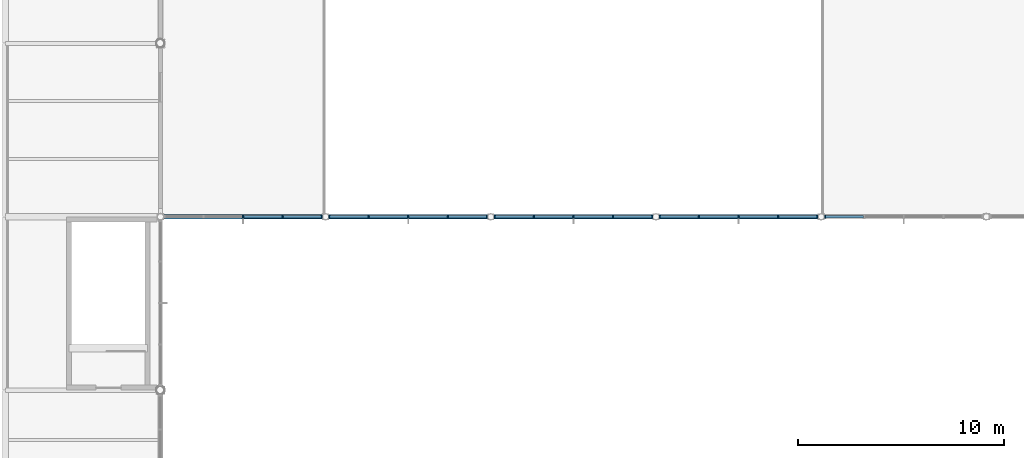
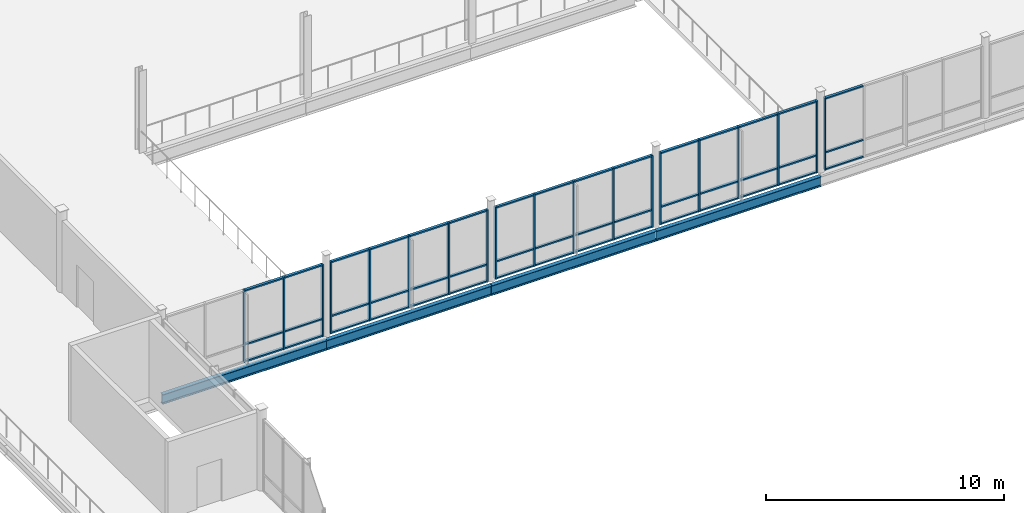
# One storey, part 26 of 75: 64 members, 4 beams, 5 elements without a shape of their own.
"""IFC4 building model written with IfcOpenShell, lengths in metres."""

from ifc_helpers import new_model, si_unit, direction, frame, origin, origin_2d, place, context, subcontext, project, spatial, rectangle, i_section, extrude, material, layer, layer_set, material_profile, profile_set, type_object, element, aggregate, save


model = new_model("IFC4")

# Units and contexts
model_context = context("Model", 3, precision=1e-05, world=origin(), true_north=direction((0.0, 1.0)))
body_context = subcontext(model_context, "Body", "Model", "MODEL_VIEW")
ifc_project = project(units=[si_unit("LENGTHUNIT", "METRE"), si_unit("AREAUNIT", "SQUARE_METRE"), si_unit("VOLUMEUNIT", "CUBIC_METRE"), si_unit("PLANEANGLEUNIT", "RADIAN"), si_unit("MASSUNIT", "GRAM", prefix="KILO")], contexts=[model_context])

# Site, building, storey
site_placement = place(None, origin())
site = spatial("IfcSite", under=ifc_project, at=site_placement, CompositionType="ELEMENT")
building_placement = place(site_placement, origin())
building = spatial("IfcBuilding", under=site, at=building_placement, Name="Yukiwa Park Conservatory and Herbarium", CompositionType="ELEMENT")
storey_placement = place(building_placement, frame((0.0, 0.0, 4.800048828125)))
storey = spatial("IfcBuildingStorey", under=building, at=storey_placement, Name="L01", CompositionType="ELEMENT", Elevation=4.800048828125)

# Beams
ifc_material_1 = material(Name="Steel Q355D", Category="steel")
ifc_material_profile = material_profile(ifc_material_1, i_section(OverallWidth=0.199951171875, OverallDepth=0.5, WebThickness=0.010009765625, FlangeThickness=0.01611328125, FilletRadius=0.02001953125, at=origin_2d()), Name="HN 500x200x10x16")
ifc_profile_set = profile_set([ifc_material_profile], Name="Steel Q355D")
beam_type = type_object("IfcBeamType", Name="BM-GRD-HN500", PredefinedType="BEAM", material=ifc_profile_set)
for number, where, z_axis, x_axis, name in (
    (1, (60.006103515625, 15.60009765625, -0.489990234375), (1.0, 0.0, 0.0), (0.0, 1.0, 0.0), "L01 grid beam X-11"),
    (2, (68.006103515625, 15.60009765625, -0.489990234375), (1.0, 0.0, 0.0), (0.0, 1.0, 0.0), "L01 grid beam X-12"),
    (3, (76.006103515625, 15.60009765625, -0.489990234375), (1.0, 0.0, 0.0), (0.0, 1.0, 0.0), "L01 grid beam X-13"),
    (4, (84.006103515625, 15.60009765625, -0.489990234375), (1.0, 0.0, 0.0), (0.0, 1.0, 0.0), "L01 grid beam X-14"),
):
    element("IfcBeam", number, at=place(storey_placement, frame(where, z_axis=z_axis, x_axis=x_axis)), inside=storey, type_object=beam_type, Name=name, PredefinedType="BEAM", context=body_context, shape_type="SweptSolid", body=[
        extrude(i_section(OverallWidth=0.199951171875, OverallDepth=0.5, WebThickness=0.010009765625, FlangeThickness=0.01611328125, FilletRadius=0.02001953125, at=origin_2d()), origin(), (0.0, 0.0, 1.0), 7.98779296875),
    ])

# Curtain wall, members
ifc_material_2 = material(Name="Triple Low-E Insulated Glass", Category="glass")
ifc_layer = layer(ifc_material_2, 0.18798828125)
ifc_layer_set = layer_set([ifc_layer], Name="Triple Low-E Insulated Glass")
curtain_wall_type = type_object("IfcCurtainWallType", Name="CW-CONCOURSE-2000", PredefinedType="NOTDEFINED", material=ifc_layer_set)
curtain_wall_1_placement = place(storey_placement, origin())
curtain_wall_1 = element("IfcCurtainWall", 5, at=curtain_wall_1_placement, inside=storey, type_object=curtain_wall_type, Name="L01 unitised curtain wall CW-L01-036", PredefinedType="NOTDEFINED")
ifc_material_3 = material(Name="Anodised Aluminium", Category="aluminium")
member_type_1 = type_object("IfcMemberType", Name="MB-CW-MUL-70X150", PredefinedType="MULLION", material=ifc_material_3)
member_1_placement = place(storey_placement, frame((64.0, 15.60009765625, 0.0), z_axis=(0.0, 0.0, 1.0), x_axis=(1.0, 0.0, 0.0)))
member_1 = element("IfcMember", 6, at=member_1_placement, type_object=member_type_1, Name="CW-L01-036 mullion 3", PredefinedType="MULLION", context=body_context, shape_type="SweptSolid", body=[
    extrude(rectangle(XDim=0.070068359375, YDim=0.14990234375, at=origin_2d()), origin(), (0.0, 0.0, 1.0), 3.699951171875),
])
member_2_placement = place(storey_placement, frame((65.918701171875, 15.60009765625, 0.0), z_axis=(0.0, 0.0, 1.0), x_axis=(1.0, 0.0, 0.0)))
member_2 = element("IfcMember", 7, at=member_2_placement, type_object=member_type_1, Name="CW-L01-036 mullion 4", PredefinedType="MULLION", context=body_context, shape_type="SweptSolid", body=[
    extrude(rectangle(XDim=0.070068359375, YDim=0.14990234375, at=origin_2d()), origin(), (0.0, 0.0, 1.0), 3.699951171875),
])
member_3_placement = place(storey_placement, frame((67.802490234375, 15.60009765625, 0.0), z_axis=(0.0, 0.0, 1.0), x_axis=(1.0, 0.0, 0.0)))
member_3 = element("IfcMember", 8, at=member_3_placement, type_object=member_type_1, Name="CW-L01-036 mullion 5", PredefinedType="MULLION", context=body_context, shape_type="SweptSolid", body=[
    extrude(rectangle(XDim=0.070068359375, YDim=0.14990234375, at=origin_2d()), origin(), (0.0, 0.0, 1.0), 3.699951171875),
])

curtain_wall_2_placement = place(storey_placement, origin())
curtain_wall_2 = element("IfcCurtainWall", 9, at=curtain_wall_2_placement, inside=storey, type_object=curtain_wall_type, Name="L01 unitised curtain wall CW-L01-037", PredefinedType="NOTDEFINED")
member_4_placement = place(storey_placement, frame((68.197509765625, 15.60009765625, 0.0), z_axis=(0.0, 0.0, 1.0), x_axis=(1.0, 0.0, 0.0)))
member_4 = element("IfcMember", 10, at=member_4_placement, type_object=member_type_1, Name="CW-L01-037 mullion 1", PredefinedType="MULLION", context=body_context, shape_type="SweptSolid", body=[
    extrude(rectangle(XDim=0.070068359375, YDim=0.14990234375, at=origin_2d()), origin(), (0.0, 0.0, 1.0), 3.699951171875),
])
member_5_placement = place(storey_placement, frame((70.081298828125, 15.60009765625, 0.0), z_axis=(0.0, 0.0, 1.0), x_axis=(1.0, 0.0, 0.0)))
member_5 = element("IfcMember", 11, at=member_5_placement, type_object=member_type_1, Name="CW-L01-037 mullion 2", PredefinedType="MULLION", context=body_context, shape_type="SweptSolid", body=[
    extrude(rectangle(XDim=0.070068359375, YDim=0.14990234375, at=origin_2d()), origin(), (0.0, 0.0, 1.0), 3.699951171875),
])
member_6_placement = place(storey_placement, frame((72.0, 15.60009765625, 0.0), z_axis=(0.0, 0.0, 1.0), x_axis=(1.0, 0.0, 0.0)))
member_6 = element("IfcMember", 12, at=member_6_placement, type_object=member_type_1, Name="CW-L01-037 mullion 3", PredefinedType="MULLION", context=body_context, shape_type="SweptSolid", body=[
    extrude(rectangle(XDim=0.070068359375, YDim=0.14990234375, at=origin_2d()), origin(), (0.0, 0.0, 1.0), 3.699951171875),
])
member_7_placement = place(storey_placement, frame((73.918701171875, 15.60009765625, 0.0), z_axis=(0.0, 0.0, 1.0), x_axis=(1.0, 0.0, 0.0)))
member_7 = element("IfcMember", 13, at=member_7_placement, type_object=member_type_1, Name="CW-L01-037 mullion 4", PredefinedType="MULLION", context=body_context, shape_type="SweptSolid", body=[
    extrude(rectangle(XDim=0.070068359375, YDim=0.14990234375, at=origin_2d()), origin(), (0.0, 0.0, 1.0), 3.699951171875),
])
member_8_placement = place(storey_placement, frame((75.802490234375, 15.60009765625, 0.0), z_axis=(0.0, 0.0, 1.0), x_axis=(1.0, 0.0, 0.0)))
member_8 = element("IfcMember", 14, at=member_8_placement, type_object=member_type_1, Name="CW-L01-037 mullion 5", PredefinedType="MULLION", context=body_context, shape_type="SweptSolid", body=[
    extrude(rectangle(XDim=0.070068359375, YDim=0.14990234375, at=origin_2d()), origin(), (0.0, 0.0, 1.0), 3.699951171875),
])

curtain_wall_3_placement = place(storey_placement, origin())
curtain_wall_3 = element("IfcCurtainWall", 15, at=curtain_wall_3_placement, inside=storey, type_object=curtain_wall_type, Name="L01 unitised curtain wall CW-L01-038", PredefinedType="NOTDEFINED")
member_9_placement = place(storey_placement, frame((76.197509765625, 15.60009765625, 0.0), z_axis=(0.0, 0.0, 1.0), x_axis=(1.0, 0.0, 0.0)))
member_9 = element("IfcMember", 16, at=member_9_placement, type_object=member_type_1, Name="CW-L01-038 mullion 1", PredefinedType="MULLION", context=body_context, shape_type="SweptSolid", body=[
    extrude(rectangle(XDim=0.070068359375, YDim=0.14990234375, at=origin_2d()), origin(), (0.0, 0.0, 1.0), 3.699951171875),
])
member_10_placement = place(storey_placement, frame((78.081298828125, 15.60009765625, 0.0), z_axis=(0.0, 0.0, 1.0), x_axis=(1.0, 0.0, 0.0)))
member_10 = element("IfcMember", 17, at=member_10_placement, type_object=member_type_1, Name="CW-L01-038 mullion 2", PredefinedType="MULLION", context=body_context, shape_type="SweptSolid", body=[
    extrude(rectangle(XDim=0.070068359375, YDim=0.14990234375, at=origin_2d()), origin(), (0.0, 0.0, 1.0), 3.699951171875),
])
member_11_placement = place(storey_placement, frame((80.0, 15.60009765625, 0.0), z_axis=(0.0, 0.0, 1.0), x_axis=(1.0, 0.0, 0.0)))
member_11 = element("IfcMember", 18, at=member_11_placement, type_object=member_type_1, Name="CW-L01-038 mullion 3", PredefinedType="MULLION", context=body_context, shape_type="SweptSolid", body=[
    extrude(rectangle(XDim=0.070068359375, YDim=0.14990234375, at=origin_2d()), origin(), (0.0, 0.0, 1.0), 3.699951171875),
])
member_12_placement = place(storey_placement, frame((81.918701171875, 15.60009765625, 0.0), z_axis=(0.0, 0.0, 1.0), x_axis=(1.0, 0.0, 0.0)))
member_12 = element("IfcMember", 19, at=member_12_placement, type_object=member_type_1, Name="CW-L01-038 mullion 4", PredefinedType="MULLION", context=body_context, shape_type="SweptSolid", body=[
    extrude(rectangle(XDim=0.070068359375, YDim=0.14990234375, at=origin_2d()), origin(), (0.0, 0.0, 1.0), 3.699951171875),
])
member_13_placement = place(storey_placement, frame((83.802490234375, 15.60009765625, 0.0), z_axis=(0.0, 0.0, 1.0), x_axis=(1.0, 0.0, 0.0)))
member_13 = element("IfcMember", 20, at=member_13_placement, type_object=member_type_1, Name="CW-L01-038 mullion 5", PredefinedType="MULLION", context=body_context, shape_type="SweptSolid", body=[
    extrude(rectangle(XDim=0.070068359375, YDim=0.14990234375, at=origin_2d()), origin(), (0.0, 0.0, 1.0), 3.699951171875),
])

curtain_wall_4_placement = place(storey_placement, origin())
curtain_wall_4 = element("IfcCurtainWall", 21, at=curtain_wall_4_placement, inside=storey, type_object=curtain_wall_type, Name="L01 unitised curtain wall CW-L01-039", PredefinedType="NOTDEFINED")
member_14_placement = place(storey_placement, frame((84.197509765625, 15.60009765625, 0.0), z_axis=(0.0, 0.0, 1.0), x_axis=(1.0, 0.0, 0.0)))
member_14 = element("IfcMember", 22, at=member_14_placement, type_object=member_type_1, Name="CW-L01-039 mullion 1", PredefinedType="MULLION", context=body_context, shape_type="SweptSolid", body=[
    extrude(rectangle(XDim=0.070068359375, YDim=0.14990234375, at=origin_2d()), origin(), (0.0, 0.0, 1.0), 3.699951171875),
])
member_15_placement = place(storey_placement, frame((86.081298828125, 15.60009765625, 0.0), z_axis=(0.0, 0.0, 1.0), x_axis=(1.0, 0.0, 0.0)))
member_15 = element("IfcMember", 23, at=member_15_placement, type_object=member_type_1, Name="CW-L01-039 mullion 2", PredefinedType="MULLION", context=body_context, shape_type="SweptSolid", body=[
    extrude(rectangle(XDim=0.070068359375, YDim=0.14990234375, at=origin_2d()), origin(), (0.0, 0.0, 1.0), 3.699951171875),
])
member_16_placement = place(storey_placement, frame((88.0, 15.60009765625, 0.0), z_axis=(0.0, 0.0, 1.0), x_axis=(1.0, 0.0, 0.0)))
member_16 = element("IfcMember", 24, at=member_16_placement, type_object=member_type_1, Name="CW-L01-039 mullion 3", PredefinedType="MULLION", context=body_context, shape_type="SweptSolid", body=[
    extrude(rectangle(XDim=0.070068359375, YDim=0.14990234375, at=origin_2d()), origin(), (0.0, 0.0, 1.0), 3.699951171875),
])
member_17_placement = place(storey_placement, frame((89.918701171875, 15.60009765625, 0.0), z_axis=(0.0, 0.0, 1.0), x_axis=(1.0, 0.0, 0.0)))
member_17 = element("IfcMember", 25, at=member_17_placement, type_object=member_type_1, Name="CW-L01-039 mullion 4", PredefinedType="MULLION", context=body_context, shape_type="SweptSolid", body=[
    extrude(rectangle(XDim=0.070068359375, YDim=0.14990234375, at=origin_2d()), origin(), (0.0, 0.0, 1.0), 3.699951171875),
])
member_18_placement = place(storey_placement, frame((91.802490234375, 15.60009765625, 0.0), z_axis=(0.0, 0.0, 1.0), x_axis=(1.0, 0.0, 0.0)))
member_18 = element("IfcMember", 26, at=member_18_placement, type_object=member_type_1, Name="CW-L01-039 mullion 5", PredefinedType="MULLION", context=body_context, shape_type="SweptSolid", body=[
    extrude(rectangle(XDim=0.070068359375, YDim=0.14990234375, at=origin_2d()), origin(), (0.0, 0.0, 1.0), 3.699951171875),
])

# Curtain wall, member
curtain_wall_5_placement = place(storey_placement, origin())
curtain_wall_5 = element("IfcCurtainWall", 27, at=curtain_wall_5_placement, inside=storey, type_object=curtain_wall_type, Name="L01 unitised curtain wall CW-L01-040", PredefinedType="NOTDEFINED")
member_19_placement = place(storey_placement, frame((92.197509765625, 15.60009765625, 0.0), z_axis=(0.0, 0.0, 1.0), x_axis=(1.0, 0.0, 0.0)))
member_19 = element("IfcMember", 28, at=member_19_placement, type_object=member_type_1, Name="CW-L01-040 mullion 1", PredefinedType="MULLION", context=body_context, shape_type="SweptSolid", body=[
    extrude(rectangle(XDim=0.070068359375, YDim=0.14990234375, at=origin_2d()), origin(), (0.0, 0.0, 1.0), 3.699951171875),
])

# Member
ifc_material_4 = material(Name="Anodised Aluminium", Category="aluminium")
member_type_2 = type_object("IfcMemberType", Name="MB-CW-TRN-70X130", PredefinedType="USERDEFINED", material=ifc_material_4)
member_20_placement = place(storey_placement, frame((64.95947265625, 15.60009765625, 0.0), z_axis=(0.0, 0.0, 1.0), x_axis=(1.0, 0.0, 0.0)))
member_20 = element("IfcMember", 29, at=member_20_placement, type_object=member_type_2, Name="CW-L01-036 transom 3.1", ObjectType="TRANSOM", PredefinedType="USERDEFINED", context=body_context, shape_type="SweptSolid", body=[
    extrude(rectangle(XDim=1.848876953125, YDim=0.1298828125, at=origin_2d()), origin(), (0.0, 0.0, 1.0), 0.070068359375),
])

member_21_placement = place(storey_placement, frame((64.95947265625, 15.60009765625, 0.86474609375), z_axis=(0.0, 0.0, 1.0), x_axis=(1.0, 0.0, 0.0)))
member_21 = element("IfcMember", 30, at=member_21_placement, type_object=member_type_2, Name="CW-L01-036 transom 3.2", ObjectType="TRANSOM", PredefinedType="USERDEFINED", context=body_context, shape_type="SweptSolid", body=[
    extrude(rectangle(XDim=1.848876953125, YDim=0.1298828125, at=origin_2d()), origin(), (0.0, 0.0, 1.0), 0.070068359375),
])

member_22_placement = place(storey_placement, frame((64.95947265625, 15.60009765625, 3.6298828125), z_axis=(0.0, 0.0, 1.0), x_axis=(1.0, 0.0, 0.0)))
member_22 = element("IfcMember", 31, at=member_22_placement, type_object=member_type_2, Name="CW-L01-036 transom 3.3", ObjectType="TRANSOM", PredefinedType="USERDEFINED", context=body_context, shape_type="SweptSolid", body=[
    extrude(rectangle(XDim=1.848876953125, YDim=0.1298828125, at=origin_2d()), origin(), (0.0, 0.0, 1.0), 0.070068359375),
])

member_23_placement = place(storey_placement, frame((66.878173828125, 15.60009765625, 0.0), z_axis=(0.0, 0.0, 1.0), x_axis=(1.0, 0.0, 0.0)))
member_23 = element("IfcMember", 32, at=member_23_placement, type_object=member_type_2, Name="CW-L01-036 transom 4.1", ObjectType="TRANSOM", PredefinedType="USERDEFINED", context=body_context, shape_type="SweptSolid", body=[
    extrude(rectangle(XDim=1.848876953125, YDim=0.1298828125, at=origin_2d()), origin(), (0.0, 0.0, 1.0), 0.070068359375),
])

member_24_placement = place(storey_placement, frame((66.878173828125, 15.60009765625, 0.86474609375), z_axis=(0.0, 0.0, 1.0), x_axis=(1.0, 0.0, 0.0)))
member_24 = element("IfcMember", 33, at=member_24_placement, type_object=member_type_2, Name="CW-L01-036 transom 4.2", ObjectType="TRANSOM", PredefinedType="USERDEFINED", context=body_context, shape_type="SweptSolid", body=[
    extrude(rectangle(XDim=1.848876953125, YDim=0.1298828125, at=origin_2d()), origin(), (0.0, 0.0, 1.0), 0.070068359375),
])

member_25_placement = place(storey_placement, frame((66.878173828125, 15.60009765625, 3.6298828125), z_axis=(0.0, 0.0, 1.0), x_axis=(1.0, 0.0, 0.0)))
member_25 = element("IfcMember", 34, at=member_25_placement, type_object=member_type_2, Name="CW-L01-036 transom 4.3", ObjectType="TRANSOM", PredefinedType="USERDEFINED", context=body_context, shape_type="SweptSolid", body=[
    extrude(rectangle(XDim=1.848876953125, YDim=0.1298828125, at=origin_2d()), origin(), (0.0, 0.0, 1.0), 0.070068359375),
])

aggregate(curtain_wall_1, [member_1, member_2, member_3, member_20, member_21, member_22, member_23, member_24, member_25])

member_26_placement = place(storey_placement, frame((69.121826171875, 15.60009765625, 0.0), z_axis=(0.0, 0.0, 1.0), x_axis=(1.0, 0.0, 0.0)))
member_26 = element("IfcMember", 35, at=member_26_placement, type_object=member_type_2, Name="CW-L01-037 transom 1.1", ObjectType="TRANSOM", PredefinedType="USERDEFINED", context=body_context, shape_type="SweptSolid", body=[
    extrude(rectangle(XDim=1.848876953125, YDim=0.1298828125, at=origin_2d()), origin(), (0.0, 0.0, 1.0), 0.070068359375),
])

member_27_placement = place(storey_placement, frame((69.121826171875, 15.60009765625, 0.86474609375), z_axis=(0.0, 0.0, 1.0), x_axis=(1.0, 0.0, 0.0)))
member_27 = element("IfcMember", 36, at=member_27_placement, type_object=member_type_2, Name="CW-L01-037 transom 1.2", ObjectType="TRANSOM", PredefinedType="USERDEFINED", context=body_context, shape_type="SweptSolid", body=[
    extrude(rectangle(XDim=1.848876953125, YDim=0.1298828125, at=origin_2d()), origin(), (0.0, 0.0, 1.0), 0.070068359375),
])

member_28_placement = place(storey_placement, frame((69.121826171875, 15.60009765625, 3.6298828125), z_axis=(0.0, 0.0, 1.0), x_axis=(1.0, 0.0, 0.0)))
member_28 = element("IfcMember", 37, at=member_28_placement, type_object=member_type_2, Name="CW-L01-037 transom 1.3", ObjectType="TRANSOM", PredefinedType="USERDEFINED", context=body_context, shape_type="SweptSolid", body=[
    extrude(rectangle(XDim=1.848876953125, YDim=0.1298828125, at=origin_2d()), origin(), (0.0, 0.0, 1.0), 0.070068359375),
])

member_29_placement = place(storey_placement, frame((71.04052734375, 15.60009765625, 0.0), z_axis=(0.0, 0.0, 1.0), x_axis=(1.0, 0.0, 0.0)))
member_29 = element("IfcMember", 38, at=member_29_placement, type_object=member_type_2, Name="CW-L01-037 transom 2.1", ObjectType="TRANSOM", PredefinedType="USERDEFINED", context=body_context, shape_type="SweptSolid", body=[
    extrude(rectangle(XDim=1.848876953125, YDim=0.1298828125, at=origin_2d()), origin(), (0.0, 0.0, 1.0), 0.070068359375),
])

member_30_placement = place(storey_placement, frame((71.04052734375, 15.60009765625, 0.86474609375), z_axis=(0.0, 0.0, 1.0), x_axis=(1.0, 0.0, 0.0)))
member_30 = element("IfcMember", 39, at=member_30_placement, type_object=member_type_2, Name="CW-L01-037 transom 2.2", ObjectType="TRANSOM", PredefinedType="USERDEFINED", context=body_context, shape_type="SweptSolid", body=[
    extrude(rectangle(XDim=1.848876953125, YDim=0.1298828125, at=origin_2d()), origin(), (0.0, 0.0, 1.0), 0.070068359375),
])

member_31_placement = place(storey_placement, frame((71.04052734375, 15.60009765625, 3.6298828125), z_axis=(0.0, 0.0, 1.0), x_axis=(1.0, 0.0, 0.0)))
member_31 = element("IfcMember", 40, at=member_31_placement, type_object=member_type_2, Name="CW-L01-037 transom 2.3", ObjectType="TRANSOM", PredefinedType="USERDEFINED", context=body_context, shape_type="SweptSolid", body=[
    extrude(rectangle(XDim=1.848876953125, YDim=0.1298828125, at=origin_2d()), origin(), (0.0, 0.0, 1.0), 0.070068359375),
])

member_32_placement = place(storey_placement, frame((72.95947265625, 15.60009765625, 0.0), z_axis=(0.0, 0.0, 1.0), x_axis=(1.0, 0.0, 0.0)))
member_32 = element("IfcMember", 41, at=member_32_placement, type_object=member_type_2, Name="CW-L01-037 transom 3.1", ObjectType="TRANSOM", PredefinedType="USERDEFINED", context=body_context, shape_type="SweptSolid", body=[
    extrude(rectangle(XDim=1.848876953125, YDim=0.1298828125, at=origin_2d()), origin(), (0.0, 0.0, 1.0), 0.070068359375),
])

member_33_placement = place(storey_placement, frame((72.95947265625, 15.60009765625, 0.86474609375), z_axis=(0.0, 0.0, 1.0), x_axis=(1.0, 0.0, 0.0)))
member_33 = element("IfcMember", 42, at=member_33_placement, type_object=member_type_2, Name="CW-L01-037 transom 3.2", ObjectType="TRANSOM", PredefinedType="USERDEFINED", context=body_context, shape_type="SweptSolid", body=[
    extrude(rectangle(XDim=1.848876953125, YDim=0.1298828125, at=origin_2d()), origin(), (0.0, 0.0, 1.0), 0.070068359375),
])

member_34_placement = place(storey_placement, frame((72.95947265625, 15.60009765625, 3.6298828125), z_axis=(0.0, 0.0, 1.0), x_axis=(1.0, 0.0, 0.0)))
member_34 = element("IfcMember", 43, at=member_34_placement, type_object=member_type_2, Name="CW-L01-037 transom 3.3", ObjectType="TRANSOM", PredefinedType="USERDEFINED", context=body_context, shape_type="SweptSolid", body=[
    extrude(rectangle(XDim=1.848876953125, YDim=0.1298828125, at=origin_2d()), origin(), (0.0, 0.0, 1.0), 0.070068359375),
])

member_35_placement = place(storey_placement, frame((74.878173828125, 15.60009765625, 0.0), z_axis=(0.0, 0.0, 1.0), x_axis=(1.0, 0.0, 0.0)))
member_35 = element("IfcMember", 44, at=member_35_placement, type_object=member_type_2, Name="CW-L01-037 transom 4.1", ObjectType="TRANSOM", PredefinedType="USERDEFINED", context=body_context, shape_type="SweptSolid", body=[
    extrude(rectangle(XDim=1.848876953125, YDim=0.1298828125, at=origin_2d()), origin(), (0.0, 0.0, 1.0), 0.070068359375),
])

member_36_placement = place(storey_placement, frame((74.878173828125, 15.60009765625, 0.86474609375), z_axis=(0.0, 0.0, 1.0), x_axis=(1.0, 0.0, 0.0)))
member_36 = element("IfcMember", 45, at=member_36_placement, type_object=member_type_2, Name="CW-L01-037 transom 4.2", ObjectType="TRANSOM", PredefinedType="USERDEFINED", context=body_context, shape_type="SweptSolid", body=[
    extrude(rectangle(XDim=1.848876953125, YDim=0.1298828125, at=origin_2d()), origin(), (0.0, 0.0, 1.0), 0.070068359375),
])

member_37_placement = place(storey_placement, frame((74.878173828125, 15.60009765625, 3.6298828125), z_axis=(0.0, 0.0, 1.0), x_axis=(1.0, 0.0, 0.0)))
member_37 = element("IfcMember", 46, at=member_37_placement, type_object=member_type_2, Name="CW-L01-037 transom 4.3", ObjectType="TRANSOM", PredefinedType="USERDEFINED", context=body_context, shape_type="SweptSolid", body=[
    extrude(rectangle(XDim=1.848876953125, YDim=0.1298828125, at=origin_2d()), origin(), (0.0, 0.0, 1.0), 0.070068359375),
])

aggregate(curtain_wall_2, [member_4, member_5, member_6, member_7, member_8, member_26, member_27, member_28, member_29, member_30, member_31, member_32, member_33, member_34, member_35, member_36, member_37])

member_38_placement = place(storey_placement, frame((77.121826171875, 15.60009765625, 0.0), z_axis=(0.0, 0.0, 1.0), x_axis=(1.0, 0.0, 0.0)))
member_38 = element("IfcMember", 47, at=member_38_placement, type_object=member_type_2, Name="CW-L01-038 transom 1.1", ObjectType="TRANSOM", PredefinedType="USERDEFINED", context=body_context, shape_type="SweptSolid", body=[
    extrude(rectangle(XDim=1.848876953125, YDim=0.1298828125, at=origin_2d()), origin(), (0.0, 0.0, 1.0), 0.070068359375),
])

member_39_placement = place(storey_placement, frame((77.121826171875, 15.60009765625, 0.86474609375), z_axis=(0.0, 0.0, 1.0), x_axis=(1.0, 0.0, 0.0)))
member_39 = element("IfcMember", 48, at=member_39_placement, type_object=member_type_2, Name="CW-L01-038 transom 1.2", ObjectType="TRANSOM", PredefinedType="USERDEFINED", context=body_context, shape_type="SweptSolid", body=[
    extrude(rectangle(XDim=1.848876953125, YDim=0.1298828125, at=origin_2d()), origin(), (0.0, 0.0, 1.0), 0.070068359375),
])

member_40_placement = place(storey_placement, frame((77.121826171875, 15.60009765625, 3.6298828125), z_axis=(0.0, 0.0, 1.0), x_axis=(1.0, 0.0, 0.0)))
member_40 = element("IfcMember", 49, at=member_40_placement, type_object=member_type_2, Name="CW-L01-038 transom 1.3", ObjectType="TRANSOM", PredefinedType="USERDEFINED", context=body_context, shape_type="SweptSolid", body=[
    extrude(rectangle(XDim=1.848876953125, YDim=0.1298828125, at=origin_2d()), origin(), (0.0, 0.0, 1.0), 0.070068359375),
])

member_41_placement = place(storey_placement, frame((79.04052734375, 15.60009765625, 0.0), z_axis=(0.0, 0.0, 1.0), x_axis=(1.0, 0.0, 0.0)))
member_41 = element("IfcMember", 50, at=member_41_placement, type_object=member_type_2, Name="CW-L01-038 transom 2.1", ObjectType="TRANSOM", PredefinedType="USERDEFINED", context=body_context, shape_type="SweptSolid", body=[
    extrude(rectangle(XDim=1.848876953125, YDim=0.1298828125, at=origin_2d()), origin(), (0.0, 0.0, 1.0), 0.070068359375),
])

member_42_placement = place(storey_placement, frame((79.04052734375, 15.60009765625, 0.86474609375), z_axis=(0.0, 0.0, 1.0), x_axis=(1.0, 0.0, 0.0)))
member_42 = element("IfcMember", 51, at=member_42_placement, type_object=member_type_2, Name="CW-L01-038 transom 2.2", ObjectType="TRANSOM", PredefinedType="USERDEFINED", context=body_context, shape_type="SweptSolid", body=[
    extrude(rectangle(XDim=1.848876953125, YDim=0.1298828125, at=origin_2d()), origin(), (0.0, 0.0, 1.0), 0.070068359375),
])

member_43_placement = place(storey_placement, frame((79.04052734375, 15.60009765625, 3.6298828125), z_axis=(0.0, 0.0, 1.0), x_axis=(1.0, 0.0, 0.0)))
member_43 = element("IfcMember", 52, at=member_43_placement, type_object=member_type_2, Name="CW-L01-038 transom 2.3", ObjectType="TRANSOM", PredefinedType="USERDEFINED", context=body_context, shape_type="SweptSolid", body=[
    extrude(rectangle(XDim=1.848876953125, YDim=0.1298828125, at=origin_2d()), origin(), (0.0, 0.0, 1.0), 0.070068359375),
])

member_44_placement = place(storey_placement, frame((80.95947265625, 15.60009765625, 0.0), z_axis=(0.0, 0.0, 1.0), x_axis=(1.0, 0.0, 0.0)))
member_44 = element("IfcMember", 53, at=member_44_placement, type_object=member_type_2, Name="CW-L01-038 transom 3.1", ObjectType="TRANSOM", PredefinedType="USERDEFINED", context=body_context, shape_type="SweptSolid", body=[
    extrude(rectangle(XDim=1.848876953125, YDim=0.1298828125, at=origin_2d()), origin(), (0.0, 0.0, 1.0), 0.070068359375),
])

member_45_placement = place(storey_placement, frame((80.95947265625, 15.60009765625, 0.86474609375), z_axis=(0.0, 0.0, 1.0), x_axis=(1.0, 0.0, 0.0)))
member_45 = element("IfcMember", 54, at=member_45_placement, type_object=member_type_2, Name="CW-L01-038 transom 3.2", ObjectType="TRANSOM", PredefinedType="USERDEFINED", context=body_context, shape_type="SweptSolid", body=[
    extrude(rectangle(XDim=1.848876953125, YDim=0.1298828125, at=origin_2d()), origin(), (0.0, 0.0, 1.0), 0.070068359375),
])

member_46_placement = place(storey_placement, frame((80.95947265625, 15.60009765625, 3.6298828125), z_axis=(0.0, 0.0, 1.0), x_axis=(1.0, 0.0, 0.0)))
member_46 = element("IfcMember", 55, at=member_46_placement, type_object=member_type_2, Name="CW-L01-038 transom 3.3", ObjectType="TRANSOM", PredefinedType="USERDEFINED", context=body_context, shape_type="SweptSolid", body=[
    extrude(rectangle(XDim=1.848876953125, YDim=0.1298828125, at=origin_2d()), origin(), (0.0, 0.0, 1.0), 0.070068359375),
])

member_47_placement = place(storey_placement, frame((82.878173828125, 15.60009765625, 0.0), z_axis=(0.0, 0.0, 1.0), x_axis=(1.0, 0.0, 0.0)))
member_47 = element("IfcMember", 56, at=member_47_placement, type_object=member_type_2, Name="CW-L01-038 transom 4.1", ObjectType="TRANSOM", PredefinedType="USERDEFINED", context=body_context, shape_type="SweptSolid", body=[
    extrude(rectangle(XDim=1.848876953125, YDim=0.1298828125, at=origin_2d()), origin(), (0.0, 0.0, 1.0), 0.070068359375),
])

member_48_placement = place(storey_placement, frame((82.878173828125, 15.60009765625, 0.86474609375), z_axis=(0.0, 0.0, 1.0), x_axis=(1.0, 0.0, 0.0)))
member_48 = element("IfcMember", 57, at=member_48_placement, type_object=member_type_2, Name="CW-L01-038 transom 4.2", ObjectType="TRANSOM", PredefinedType="USERDEFINED", context=body_context, shape_type="SweptSolid", body=[
    extrude(rectangle(XDim=1.848876953125, YDim=0.1298828125, at=origin_2d()), origin(), (0.0, 0.0, 1.0), 0.070068359375),
])

member_49_placement = place(storey_placement, frame((82.878173828125, 15.60009765625, 3.6298828125), z_axis=(0.0, 0.0, 1.0), x_axis=(1.0, 0.0, 0.0)))
member_49 = element("IfcMember", 58, at=member_49_placement, type_object=member_type_2, Name="CW-L01-038 transom 4.3", ObjectType="TRANSOM", PredefinedType="USERDEFINED", context=body_context, shape_type="SweptSolid", body=[
    extrude(rectangle(XDim=1.848876953125, YDim=0.1298828125, at=origin_2d()), origin(), (0.0, 0.0, 1.0), 0.070068359375),
])

aggregate(curtain_wall_3, [member_9, member_10, member_11, member_12, member_13, member_38, member_39, member_40, member_41, member_42, member_43, member_44, member_45, member_46, member_47, member_48, member_49])

member_50_placement = place(storey_placement, frame((85.121826171875, 15.60009765625, 0.0), z_axis=(0.0, 0.0, 1.0), x_axis=(1.0, 0.0, 0.0)))
member_50 = element("IfcMember", 59, at=member_50_placement, type_object=member_type_2, Name="CW-L01-039 transom 1.1", ObjectType="TRANSOM", PredefinedType="USERDEFINED", context=body_context, shape_type="SweptSolid", body=[
    extrude(rectangle(XDim=1.848876953125, YDim=0.1298828125, at=origin_2d()), origin(), (0.0, 0.0, 1.0), 0.070068359375),
])

member_51_placement = place(storey_placement, frame((85.121826171875, 15.60009765625, 0.86474609375), z_axis=(0.0, 0.0, 1.0), x_axis=(1.0, 0.0, 0.0)))
member_51 = element("IfcMember", 60, at=member_51_placement, type_object=member_type_2, Name="CW-L01-039 transom 1.2", ObjectType="TRANSOM", PredefinedType="USERDEFINED", context=body_context, shape_type="SweptSolid", body=[
    extrude(rectangle(XDim=1.848876953125, YDim=0.1298828125, at=origin_2d()), origin(), (0.0, 0.0, 1.0), 0.070068359375),
])

member_52_placement = place(storey_placement, frame((85.121826171875, 15.60009765625, 3.6298828125), z_axis=(0.0, 0.0, 1.0), x_axis=(1.0, 0.0, 0.0)))
member_52 = element("IfcMember", 61, at=member_52_placement, type_object=member_type_2, Name="CW-L01-039 transom 1.3", ObjectType="TRANSOM", PredefinedType="USERDEFINED", context=body_context, shape_type="SweptSolid", body=[
    extrude(rectangle(XDim=1.848876953125, YDim=0.1298828125, at=origin_2d()), origin(), (0.0, 0.0, 1.0), 0.070068359375),
])

member_53_placement = place(storey_placement, frame((87.04052734375, 15.60009765625, 0.0), z_axis=(0.0, 0.0, 1.0), x_axis=(1.0, 0.0, 0.0)))
member_53 = element("IfcMember", 62, at=member_53_placement, type_object=member_type_2, Name="CW-L01-039 transom 2.1", ObjectType="TRANSOM", PredefinedType="USERDEFINED", context=body_context, shape_type="SweptSolid", body=[
    extrude(rectangle(XDim=1.848876953125, YDim=0.1298828125, at=origin_2d()), origin(), (0.0, 0.0, 1.0), 0.070068359375),
])

member_54_placement = place(storey_placement, frame((87.04052734375, 15.60009765625, 0.86474609375), z_axis=(0.0, 0.0, 1.0), x_axis=(1.0, 0.0, 0.0)))
member_54 = element("IfcMember", 63, at=member_54_placement, type_object=member_type_2, Name="CW-L01-039 transom 2.2", ObjectType="TRANSOM", PredefinedType="USERDEFINED", context=body_context, shape_type="SweptSolid", body=[
    extrude(rectangle(XDim=1.848876953125, YDim=0.1298828125, at=origin_2d()), origin(), (0.0, 0.0, 1.0), 0.070068359375),
])

member_55_placement = place(storey_placement, frame((87.04052734375, 15.60009765625, 3.6298828125), z_axis=(0.0, 0.0, 1.0), x_axis=(1.0, 0.0, 0.0)))
member_55 = element("IfcMember", 64, at=member_55_placement, type_object=member_type_2, Name="CW-L01-039 transom 2.3", ObjectType="TRANSOM", PredefinedType="USERDEFINED", context=body_context, shape_type="SweptSolid", body=[
    extrude(rectangle(XDim=1.848876953125, YDim=0.1298828125, at=origin_2d()), origin(), (0.0, 0.0, 1.0), 0.070068359375),
])

member_56_placement = place(storey_placement, frame((88.95947265625, 15.60009765625, 0.0), z_axis=(0.0, 0.0, 1.0), x_axis=(1.0, 0.0, 0.0)))
member_56 = element("IfcMember", 65, at=member_56_placement, type_object=member_type_2, Name="CW-L01-039 transom 3.1", ObjectType="TRANSOM", PredefinedType="USERDEFINED", context=body_context, shape_type="SweptSolid", body=[
    extrude(rectangle(XDim=1.848876953125, YDim=0.1298828125, at=origin_2d()), origin(), (0.0, 0.0, 1.0), 0.070068359375),
])

member_57_placement = place(storey_placement, frame((88.95947265625, 15.60009765625, 0.86474609375), z_axis=(0.0, 0.0, 1.0), x_axis=(1.0, 0.0, 0.0)))
member_57 = element("IfcMember", 66, at=member_57_placement, type_object=member_type_2, Name="CW-L01-039 transom 3.2", ObjectType="TRANSOM", PredefinedType="USERDEFINED", context=body_context, shape_type="SweptSolid", body=[
    extrude(rectangle(XDim=1.848876953125, YDim=0.1298828125, at=origin_2d()), origin(), (0.0, 0.0, 1.0), 0.070068359375),
])

member_58_placement = place(storey_placement, frame((88.95947265625, 15.60009765625, 3.6298828125), z_axis=(0.0, 0.0, 1.0), x_axis=(1.0, 0.0, 0.0)))
member_58 = element("IfcMember", 67, at=member_58_placement, type_object=member_type_2, Name="CW-L01-039 transom 3.3", ObjectType="TRANSOM", PredefinedType="USERDEFINED", context=body_context, shape_type="SweptSolid", body=[
    extrude(rectangle(XDim=1.848876953125, YDim=0.1298828125, at=origin_2d()), origin(), (0.0, 0.0, 1.0), 0.070068359375),
])

member_59_placement = place(storey_placement, frame((90.878173828125, 15.60009765625, 0.0), z_axis=(0.0, 0.0, 1.0), x_axis=(1.0, 0.0, 0.0)))
member_59 = element("IfcMember", 68, at=member_59_placement, type_object=member_type_2, Name="CW-L01-039 transom 4.1", ObjectType="TRANSOM", PredefinedType="USERDEFINED", context=body_context, shape_type="SweptSolid", body=[
    extrude(rectangle(XDim=1.848876953125, YDim=0.1298828125, at=origin_2d()), origin(), (0.0, 0.0, 1.0), 0.070068359375),
])

member_60_placement = place(storey_placement, frame((90.878173828125, 15.60009765625, 0.86474609375), z_axis=(0.0, 0.0, 1.0), x_axis=(1.0, 0.0, 0.0)))
member_60 = element("IfcMember", 69, at=member_60_placement, type_object=member_type_2, Name="CW-L01-039 transom 4.2", ObjectType="TRANSOM", PredefinedType="USERDEFINED", context=body_context, shape_type="SweptSolid", body=[
    extrude(rectangle(XDim=1.848876953125, YDim=0.1298828125, at=origin_2d()), origin(), (0.0, 0.0, 1.0), 0.070068359375),
])

member_61_placement = place(storey_placement, frame((90.878173828125, 15.60009765625, 3.6298828125), z_axis=(0.0, 0.0, 1.0), x_axis=(1.0, 0.0, 0.0)))
member_61 = element("IfcMember", 70, at=member_61_placement, type_object=member_type_2, Name="CW-L01-039 transom 4.3", ObjectType="TRANSOM", PredefinedType="USERDEFINED", context=body_context, shape_type="SweptSolid", body=[
    extrude(rectangle(XDim=1.848876953125, YDim=0.1298828125, at=origin_2d()), origin(), (0.0, 0.0, 1.0), 0.070068359375),
])

aggregate(curtain_wall_4, [member_14, member_15, member_16, member_17, member_18, member_50, member_51, member_52, member_53, member_54, member_55, member_56, member_57, member_58, member_59, member_60, member_61])

member_62_placement = place(storey_placement, frame((93.121826171875, 15.60009765625, 0.0), z_axis=(0.0, 0.0, 1.0), x_axis=(1.0, 0.0, 0.0)))
member_62 = element("IfcMember", 71, at=member_62_placement, type_object=member_type_2, Name="CW-L01-040 transom 1.1", ObjectType="TRANSOM", PredefinedType="USERDEFINED", context=body_context, shape_type="SweptSolid", body=[
    extrude(rectangle(XDim=1.848876953125, YDim=0.1298828125, at=origin_2d()), origin(), (0.0, 0.0, 1.0), 0.070068359375),
])

member_63_placement = place(storey_placement, frame((93.121826171875, 15.60009765625, 0.86474609375), z_axis=(0.0, 0.0, 1.0), x_axis=(1.0, 0.0, 0.0)))
member_63 = element("IfcMember", 72, at=member_63_placement, type_object=member_type_2, Name="CW-L01-040 transom 1.2", ObjectType="TRANSOM", PredefinedType="USERDEFINED", context=body_context, shape_type="SweptSolid", body=[
    extrude(rectangle(XDim=1.848876953125, YDim=0.1298828125, at=origin_2d()), origin(), (0.0, 0.0, 1.0), 0.070068359375),
])

member_64_placement = place(storey_placement, frame((93.121826171875, 15.60009765625, 3.6298828125), z_axis=(0.0, 0.0, 1.0), x_axis=(1.0, 0.0, 0.0)))
member_64 = element("IfcMember", 73, at=member_64_placement, type_object=member_type_2, Name="CW-L01-040 transom 1.3", ObjectType="TRANSOM", PredefinedType="USERDEFINED", context=body_context, shape_type="SweptSolid", body=[
    extrude(rectangle(XDim=1.848876953125, YDim=0.1298828125, at=origin_2d()), origin(), (0.0, 0.0, 1.0), 0.070068359375),
])

aggregate(curtain_wall_5, [member_19, member_62, member_63, member_64])

save(model, "model.ifc")
